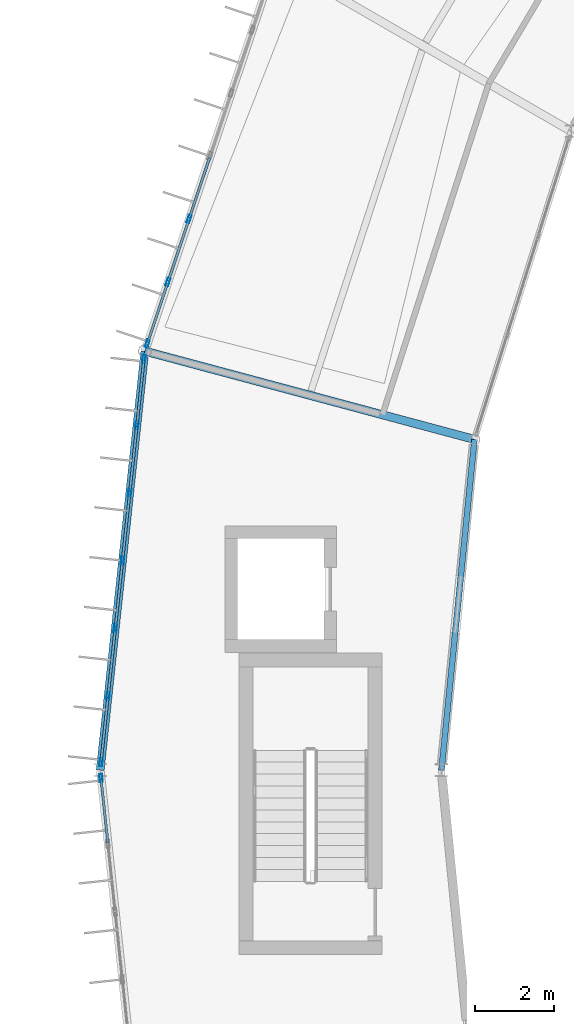
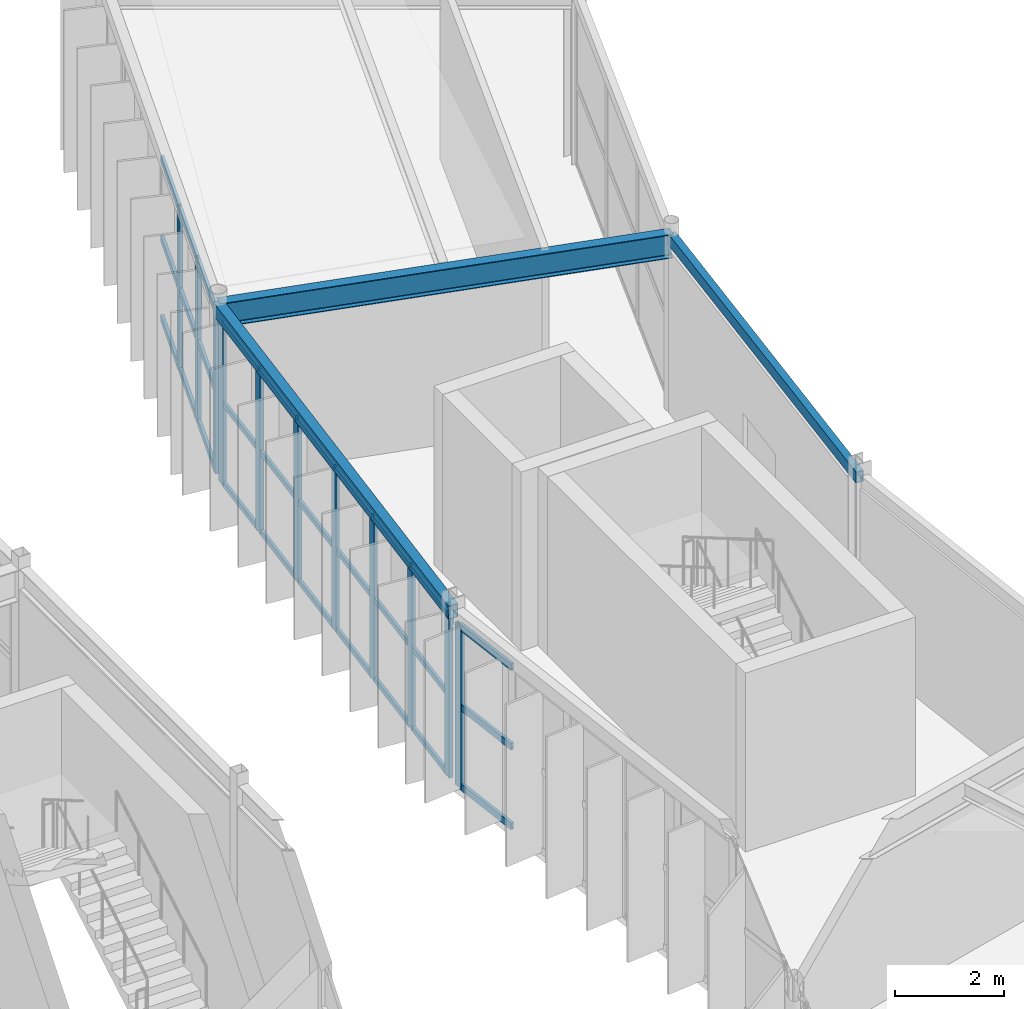
# One storey, part 45 of 147: 41 members, 3 beams, 3 elements without a shape of their own.
"""IFC4 building model written with IfcOpenShell, lengths in metres."""

from ifc_helpers import new_model, si_unit, direction, frame, origin, origin_2d, place, context, subcontext, project, spatial, hollow_rectangle, i_section, extrude, material, material_profile, profile_set, type_object, element, aggregate, save


model = new_model("IFC4")

# Units and contexts
model_context = context("Model", 3, precision=1e-05, world=origin(), true_north=direction((0.0, 1.0)))
body_context = subcontext(model_context, "Body", "Model", "MODEL_VIEW")
ifc_project = project(units=[si_unit("LENGTHUNIT", "METRE"), si_unit("AREAUNIT", "SQUARE_METRE"), si_unit("VOLUMEUNIT", "CUBIC_METRE"), si_unit("PLANEANGLEUNIT", "RADIAN"), si_unit("MASSUNIT", "GRAM", prefix="KILO")], contexts=[model_context])

# Site, building, storey
site_placement = place(None, origin())
site = spatial("IfcSite", under=ifc_project, at=site_placement, CompositionType="ELEMENT")
building_placement = place(site_placement, origin())
building = spatial("IfcBuilding", under=site, at=building_placement, Name="Karori Crest Natural Sciences Institute", CompositionType="ELEMENT")
storey_placement = place(building_placement, frame((0.0, 0.0, 9.10009765625)))
storey = spatial("IfcBuildingStorey", under=building, at=storey_placement, Name="L02", CompositionType="ELEMENT", Elevation=9.10009765625)

# Beams
ifc_material_1 = material(Name="Structural steel AS/NZS 3679.1 Grade 350", Category="steel")
ifc_material_profile_1 = material_profile(ifc_material_1, i_section(OverallWidth=0.208984375, OverallDepth=0.532958984375, WebThickness=0.01025390625, FlangeThickness=0.015625, FilletRadius=0.013916015625, at=origin_2d()), Name="530UB92.4")
ifc_profile_set_1 = profile_set([ifc_material_profile_1], Name="Structural steel AS/NZS 3679.1 Grade 350")
beam_type_1 = type_object("IfcBeamType", Name="BT-05", PredefinedType="BEAM", material=ifc_profile_set_1)
beam_1_placement = place(storey_placement, frame((42.831298828125, 58.23388671875, 3.67333984375), z_axis=(-0.965925622404, 0.258819806009, 0.0), x_axis=(-0.258819806009, -0.965925622404, 0.0)))
element("IfcBeam", 1, at=beam_1_placement, inside=storey, type_object=beam_type_1, Name="Beam B-0315", PredefinedType="BEAM", context=body_context, shape_type="SweptSolid", body=[
    extrude(i_section(OverallWidth=0.208984375, OverallDepth=0.532958984375, WebThickness=0.01025390625, FlangeThickness=0.015625, FilletRadius=0.013916015625, at=origin_2d()), origin(), (0.0, 0.0, 1.0), 8.599853515625),
])
ifc_material_2 = material(Name="Hollow structural steel AS/NZS 1163 Grade C350", Category="steel")
ifc_material_profile_2 = material_profile(ifc_material_2, hollow_rectangle(XDim=0.199951171875, YDim=0.300048828125, WallThickness=0.010009765625, at=origin_2d()), Name="RHS300x200x10")
ifc_profile_set_2 = profile_set([ifc_material_profile_2], Name="Hollow structural steel AS/NZS 1163 Grade C350")
beam_type_2 = type_object("IfcBeamType", Name="BT-15", PredefinedType="SPANDREL", material=ifc_profile_set_2)
beam_2_placement = place(storey_placement, frame((34.5244140625, 60.459716796875, 3.789794921875), z_axis=(-0.105891010563, -0.994377742049, 0.0), x_axis=(0.994377742049, -0.105891010563, 0.0)))
element("IfcBeam", 2, at=beam_2_placement, inside=storey, type_object=beam_type_2, Name="Beam B-0313", PredefinedType="SPANDREL", context=body_context, shape_type="SweptSolid", body=[
    extrude(hollow_rectangle(XDim=0.199951171875, YDim=0.300048828125, WallThickness=0.010009765625, at=origin_2d()), origin(), (0.0, 0.0, 1.0), 10.61962890625),
])
ifc_material_profile_3 = material_profile(ifc_material_2, hollow_rectangle(XDim=0.14990234375, YDim=0.25, WallThickness=0.009033203125, at=origin_2d()), Name="RHS250x150x9")
ifc_profile_set_3 = profile_set([ifc_material_profile_3], Name="Hollow structural steel AS/NZS 1163 Grade C350")
beam_type_3 = type_object("IfcBeamType", Name="BT-16", PredefinedType="SPANDREL", material=ifc_profile_set_3)
beam_3_placement = place(storey_placement, frame((42.831298828125, 58.23388671875, 3.789794921875), z_axis=(-0.099255508608, -0.995061979985, 0.0), x_axis=(0.995061979985, -0.099255508608, 0.0)))
element("IfcBeam", 3, at=beam_3_placement, inside=storey, type_object=beam_type_3, Name="Beam B-0314", PredefinedType="SPANDREL", context=body_context, shape_type="SweptSolid", body=[
    extrude(hollow_rectangle(XDim=0.14990234375, YDim=0.25, WallThickness=0.009033203125, at=origin_2d()), origin(), (0.0, 0.0, 1.0), 8.375244140625),
])

# Curtain wall, members
ifc_material_3 = material(Name="Anodised architectural aluminium 6063-T6", Category="aluminium")
curtain_wall_type_1 = type_object("IfcCurtainWallType", Name="CWT-01", PredefinedType="NOTDEFINED", material=ifc_material_3)
curtain_wall_1_placement = place(storey_placement, origin())
curtain_wall_1 = element("IfcCurtainWall", 4, at=curtain_wall_1_placement, inside=storey, type_object=curtain_wall_type_1, Name="Curtain wall CW-0080", PredefinedType="NOTDEFINED")
ifc_material_profile_4 = material_profile(ifc_material_3, hollow_rectangle(XDim=0.074951171875, YDim=0.199951171875, WallThickness=0.0048828125, at=origin_2d()), Name="CWM200x75x5")
ifc_profile_set_4 = profile_set([ifc_material_profile_4], Name="Anodised architectural aluminium 6063-T6")
member_type_1 = type_object("IfcMemberType", Name="CWM-02", PredefinedType="MULLION", material=ifc_profile_set_4)
member_1_placement = place(storey_placement, frame((34.587158203125, 60.64697265625, 0.0), z_axis=(0.0, 0.0, 1.0), x_axis=(-0.948196219586, 0.317685267462, 0.0)))
member_1 = element("IfcMember", 5, at=member_1_placement, type_object=member_type_1, Name="CW-0080 mullion 1", PredefinedType="MULLION", context=body_context, shape_type="SweptSolid", body=[
    extrude(hollow_rectangle(XDim=0.074951171875, YDim=0.199951171875, WallThickness=0.0048828125, at=origin_2d()), origin(), (0.0, 0.0, 1.0), 3.625),
])
member_2_placement = place(storey_placement, frame((35.10693359375, 62.198486328125, 0.0), z_axis=(0.0, 0.0, 1.0), x_axis=(-0.948196219586, 0.317685267462, 0.0)))
member_2 = element("IfcMember", 6, at=member_2_placement, type_object=member_type_1, Name="CW-0080 mullion 2", PredefinedType="MULLION", context=body_context, shape_type="SweptSolid", body=[
    extrude(hollow_rectangle(XDim=0.074951171875, YDim=0.199951171875, WallThickness=0.0048828125, at=origin_2d()), origin(), (0.0, 0.0, 1.0), 3.625),
])
member_3_placement = place(storey_placement, frame((35.638671875, 63.785400390625, 0.0), z_axis=(0.0, 0.0, 1.0), x_axis=(-0.948196219586, 0.317685267462, 0.0)))
member_3 = element("IfcMember", 7, at=member_3_placement, type_object=member_type_1, Name="CW-0080 mullion 3", PredefinedType="MULLION", context=body_context, shape_type="SweptSolid", body=[
    extrude(hollow_rectangle(XDim=0.074951171875, YDim=0.199951171875, WallThickness=0.0048828125, at=origin_2d()), origin(), (0.0, 0.0, 1.0), 3.625),
])

curtain_wall_type_2 = type_object("IfcCurtainWallType", Name="CWT-02", PredefinedType="NOTDEFINED", material=ifc_material_3)
curtain_wall_2_placement = place(storey_placement, origin())
curtain_wall_2 = element("IfcCurtainWall", 8, at=curtain_wall_2_placement, inside=storey, type_object=curtain_wall_type_2, Name="Curtain wall CW-0082", PredefinedType="NOTDEFINED")
member_4_placement = place(storey_placement, frame((33.421142578125, 50.098876953125, 0.0), z_axis=(0.0, 0.0, 1.0), x_axis=(-0.994378453478, 0.105884329618, 0.0)))
member_4 = element("IfcMember", 9, at=member_4_placement, type_object=member_type_1, Name="CW-0082 mullion 1", PredefinedType="MULLION", context=body_context, shape_type="SweptSolid", body=[
    extrude(hollow_rectangle(XDim=0.074951171875, YDim=0.199951171875, WallThickness=0.0048828125, at=origin_2d()), origin(), (0.0, 0.0, 1.0), 3.625),
])
member_5_placement = place(storey_placement, frame((33.598876953125, 51.76806640625, 0.0), z_axis=(0.0, 0.0, 1.0), x_axis=(-0.994378453478, 0.105884329618, 0.0)))
member_5 = element("IfcMember", 10, at=member_5_placement, type_object=member_type_1, Name="CW-0082 mullion 2", PredefinedType="MULLION", context=body_context, shape_type="SweptSolid", body=[
    extrude(hollow_rectangle(XDim=0.074951171875, YDim=0.199951171875, WallThickness=0.0048828125, at=origin_2d()), origin(), (0.0, 0.0, 1.0), 3.625),
])
member_6_placement = place(storey_placement, frame((33.780517578125, 53.474609375, 0.0), z_axis=(0.0, 0.0, 1.0), x_axis=(-0.994378453478, 0.105884329618, 0.0)))
member_6 = element("IfcMember", 11, at=member_6_placement, type_object=member_type_1, Name="CW-0082 mullion 3", PredefinedType="MULLION", context=body_context, shape_type="SweptSolid", body=[
    extrude(hollow_rectangle(XDim=0.074951171875, YDim=0.199951171875, WallThickness=0.0048828125, at=origin_2d()), origin(), (0.0, 0.0, 1.0), 3.625),
])
member_7_placement = place(storey_placement, frame((33.96240234375, 55.18115234375, 0.0), z_axis=(0.0, 0.0, 1.0), x_axis=(-0.994378453478, 0.105884329618, 0.0)))
member_7 = element("IfcMember", 12, at=member_7_placement, type_object=member_type_1, Name="CW-0082 mullion 4", PredefinedType="MULLION", context=body_context, shape_type="SweptSolid", body=[
    extrude(hollow_rectangle(XDim=0.074951171875, YDim=0.199951171875, WallThickness=0.0048828125, at=origin_2d()), origin(), (0.0, 0.0, 1.0), 3.625),
])
member_8_placement = place(storey_placement, frame((34.14404296875, 56.8876953125, 0.0), z_axis=(0.0, 0.0, 1.0), x_axis=(-0.994378453478, 0.105884329618, 0.0)))
member_8 = element("IfcMember", 13, at=member_8_placement, type_object=member_type_1, Name="CW-0082 mullion 5", PredefinedType="MULLION", context=body_context, shape_type="SweptSolid", body=[
    extrude(hollow_rectangle(XDim=0.074951171875, YDim=0.199951171875, WallThickness=0.0048828125, at=origin_2d()), origin(), (0.0, 0.0, 1.0), 3.625),
])
member_9_placement = place(storey_placement, frame((34.32568359375, 58.59423828125, 0.0), z_axis=(0.0, 0.0, 1.0), x_axis=(-0.994378453478, 0.105884329618, 0.0)))
member_9 = element("IfcMember", 14, at=member_9_placement, type_object=member_type_1, Name="CW-0082 mullion 6", PredefinedType="MULLION", context=body_context, shape_type="SweptSolid", body=[
    extrude(hollow_rectangle(XDim=0.074951171875, YDim=0.199951171875, WallThickness=0.0048828125, at=origin_2d()), origin(), (0.0, 0.0, 1.0), 3.625),
])
member_10_placement = place(storey_placement, frame((34.50341796875, 60.263427734375, 0.0), z_axis=(0.0, 0.0, 1.0), x_axis=(-0.994378453478, 0.105884329618, 0.0)))
member_10 = element("IfcMember", 15, at=member_10_placement, type_object=member_type_1, Name="CW-0082 mullion 7", PredefinedType="MULLION", context=body_context, shape_type="SweptSolid", body=[
    extrude(hollow_rectangle(XDim=0.074951171875, YDim=0.199951171875, WallThickness=0.0048828125, at=origin_2d()), origin(), (0.0, 0.0, 1.0), 3.625),
])

# Curtain wall, member
curtain_wall_type_3 = type_object("IfcCurtainWallType", Name="CWT-03", PredefinedType="NOTDEFINED", material=ifc_material_3)
curtain_wall_3_placement = place(storey_placement, origin())
curtain_wall_3 = element("IfcCurtainWall", 16, at=curtain_wall_3_placement, inside=storey, type_object=curtain_wall_type_3, Name="Curtain wall CW-0083", PredefinedType="NOTDEFINED")
member_11_placement = place(storey_placement, frame((33.421142578125, 49.701171875, 0.0), z_axis=(0.0, 0.0, 1.0), x_axis=(-0.994378742451, -0.105881615789, 0.0)))
member_11 = element("IfcMember", 17, at=member_11_placement, type_object=member_type_1, Name="CW-0083 mullion 7", PredefinedType="MULLION", context=body_context, shape_type="SweptSolid", body=[
    extrude(hollow_rectangle(XDim=0.074951171875, YDim=0.199951171875, WallThickness=0.0048828125, at=origin_2d()), origin(), (0.0, 0.0, 1.0), 3.625),
])

# Member
ifc_material_profile_5 = material_profile(ifc_material_3, hollow_rectangle(XDim=0.06005859375, YDim=0.1201171875, WallThickness=0.00390625, at=origin_2d()), Name="CWT120x60x4")
ifc_profile_set_5 = profile_set([ifc_material_profile_5], Name="Anodised architectural aluminium 6063-T6")
member_type_2 = type_object("IfcMemberType", Name="CWT-TR1", PredefinedType="USERDEFINED", material=ifc_profile_set_5)
member_12_placement = place(storey_placement, frame((33.425048828125, 50.135986328125, 0.02978515625), z_axis=(0.10595259381, 0.994371182137, 0.0), x_axis=(-0.994371182137, 0.10595259381, 0.0)))
member_12 = element("IfcMember", 18, at=member_12_placement, type_object=member_type_2, Name="CW-0082 transom 1.1", ObjectType="TRANSOM", PredefinedType="USERDEFINED", context=body_context, shape_type="SweptSolid", body=[
    extrude(hollow_rectangle(XDim=0.06005859375, YDim=0.1201171875, WallThickness=0.00390625, at=origin_2d()), origin(), (0.0, 0.0, 1.0), 1.603759765625),
])

member_13_placement = place(storey_placement, frame((33.425048828125, 50.135986328125, 1.8125), z_axis=(0.10595259381, 0.994371182137, 0.0), x_axis=(-0.994371182137, 0.10595259381, 0.0)))
member_13 = element("IfcMember", 19, at=member_13_placement, type_object=member_type_2, Name="CW-0082 transom 1.2", ObjectType="TRANSOM", PredefinedType="USERDEFINED", context=body_context, shape_type="SweptSolid", body=[
    extrude(hollow_rectangle(XDim=0.06005859375, YDim=0.1201171875, WallThickness=0.00390625, at=origin_2d()), origin(), (0.0, 0.0, 1.0), 1.603759765625),
])

member_14_placement = place(storey_placement, frame((33.425048828125, 50.135986328125, 3.594970703125), z_axis=(0.10595259381, 0.994371182137, 0.0), x_axis=(-0.994371182137, 0.10595259381, 0.0)))
member_14 = element("IfcMember", 20, at=member_14_placement, type_object=member_type_2, Name="CW-0082 transom 1.3", ObjectType="TRANSOM", PredefinedType="USERDEFINED", context=body_context, shape_type="SweptSolid", body=[
    extrude(hollow_rectangle(XDim=0.06005859375, YDim=0.1201171875, WallThickness=0.00390625, at=origin_2d()), origin(), (0.0, 0.0, 1.0), 1.603759765625),
])

member_15_placement = place(storey_placement, frame((33.602783203125, 51.805419921875, 0.02978515625), z_axis=(0.105923768436, 0.994374253126, 0.0), x_axis=(-0.994374253126, 0.105923768436, 0.0)))
member_15 = element("IfcMember", 21, at=member_15_placement, type_object=member_type_2, Name="CW-0082 transom 2.1", ObjectType="TRANSOM", PredefinedType="USERDEFINED", context=body_context, shape_type="SweptSolid", body=[
    extrude(hollow_rectangle(XDim=0.06005859375, YDim=0.1201171875, WallThickness=0.00390625, at=origin_2d()), origin(), (0.0, 0.0, 1.0), 1.64111328125),
])

member_16_placement = place(storey_placement, frame((33.602783203125, 51.805419921875, 1.8125), z_axis=(0.105923768436, 0.994374253126, 0.0), x_axis=(-0.994374253126, 0.105923768436, 0.0)))
member_16 = element("IfcMember", 22, at=member_16_placement, type_object=member_type_2, Name="CW-0082 transom 2.2", ObjectType="TRANSOM", PredefinedType="USERDEFINED", context=body_context, shape_type="SweptSolid", body=[
    extrude(hollow_rectangle(XDim=0.06005859375, YDim=0.1201171875, WallThickness=0.00390625, at=origin_2d()), origin(), (0.0, 0.0, 1.0), 1.64111328125),
])

member_17_placement = place(storey_placement, frame((33.602783203125, 51.805419921875, 3.594970703125), z_axis=(0.105923768436, 0.994374253126, 0.0), x_axis=(-0.994374253126, 0.105923768436, 0.0)))
member_17 = element("IfcMember", 23, at=member_17_placement, type_object=member_type_2, Name="CW-0082 transom 2.3", ObjectType="TRANSOM", PredefinedType="USERDEFINED", context=body_context, shape_type="SweptSolid", body=[
    extrude(hollow_rectangle(XDim=0.06005859375, YDim=0.1201171875, WallThickness=0.00390625, at=origin_2d()), origin(), (0.0, 0.0, 1.0), 1.64111328125),
])

member_18_placement = place(storey_placement, frame((33.78466796875, 53.511962890625, 0.02978515625), z_axis=(0.105923768436, 0.994374253126, 0.0), x_axis=(-0.994374253126, 0.105923768436, 0.0)))
member_18 = element("IfcMember", 24, at=member_18_placement, type_object=member_type_2, Name="CW-0082 transom 3.1", ObjectType="TRANSOM", PredefinedType="USERDEFINED", context=body_context, shape_type="SweptSolid", body=[
    extrude(hollow_rectangle(XDim=0.06005859375, YDim=0.1201171875, WallThickness=0.00390625, at=origin_2d()), origin(), (0.0, 0.0, 1.0), 1.64111328125),
])

member_19_placement = place(storey_placement, frame((33.78466796875, 53.511962890625, 1.8125), z_axis=(0.105923768436, 0.994374253126, 0.0), x_axis=(-0.994374253126, 0.105923768436, 0.0)))
member_19 = element("IfcMember", 25, at=member_19_placement, type_object=member_type_2, Name="CW-0082 transom 3.2", ObjectType="TRANSOM", PredefinedType="USERDEFINED", context=body_context, shape_type="SweptSolid", body=[
    extrude(hollow_rectangle(XDim=0.06005859375, YDim=0.1201171875, WallThickness=0.00390625, at=origin_2d()), origin(), (0.0, 0.0, 1.0), 1.64111328125),
])

member_20_placement = place(storey_placement, frame((33.78466796875, 53.511962890625, 3.594970703125), z_axis=(0.105923768436, 0.994374253126, 0.0), x_axis=(-0.994374253126, 0.105923768436, 0.0)))
member_20 = element("IfcMember", 26, at=member_20_placement, type_object=member_type_2, Name="CW-0082 transom 3.3", ObjectType="TRANSOM", PredefinedType="USERDEFINED", context=body_context, shape_type="SweptSolid", body=[
    extrude(hollow_rectangle(XDim=0.06005859375, YDim=0.1201171875, WallThickness=0.00390625, at=origin_2d()), origin(), (0.0, 0.0, 1.0), 1.64111328125),
])

member_21_placement = place(storey_placement, frame((33.96630859375, 55.218505859375, 0.02978515625), z_axis=(0.105923768436, 0.994374253126, 0.0), x_axis=(-0.994374253126, 0.105923768436, 0.0)))
member_21 = element("IfcMember", 27, at=member_21_placement, type_object=member_type_2, Name="CW-0082 transom 4.1", ObjectType="TRANSOM", PredefinedType="USERDEFINED", context=body_context, shape_type="SweptSolid", body=[
    extrude(hollow_rectangle(XDim=0.06005859375, YDim=0.1201171875, WallThickness=0.00390625, at=origin_2d()), origin(), (0.0, 0.0, 1.0), 1.64111328125),
])

member_22_placement = place(storey_placement, frame((33.96630859375, 55.218505859375, 1.8125), z_axis=(0.105923768436, 0.994374253126, 0.0), x_axis=(-0.994374253126, 0.105923768436, 0.0)))
member_22 = element("IfcMember", 28, at=member_22_placement, type_object=member_type_2, Name="CW-0082 transom 4.2", ObjectType="TRANSOM", PredefinedType="USERDEFINED", context=body_context, shape_type="SweptSolid", body=[
    extrude(hollow_rectangle(XDim=0.06005859375, YDim=0.1201171875, WallThickness=0.00390625, at=origin_2d()), origin(), (0.0, 0.0, 1.0), 1.64111328125),
])

member_23_placement = place(storey_placement, frame((33.96630859375, 55.218505859375, 3.594970703125), z_axis=(0.105923768436, 0.994374253126, 0.0), x_axis=(-0.994374253126, 0.105923768436, 0.0)))
member_23 = element("IfcMember", 29, at=member_23_placement, type_object=member_type_2, Name="CW-0082 transom 4.3", ObjectType="TRANSOM", PredefinedType="USERDEFINED", context=body_context, shape_type="SweptSolid", body=[
    extrude(hollow_rectangle(XDim=0.06005859375, YDim=0.1201171875, WallThickness=0.00390625, at=origin_2d()), origin(), (0.0, 0.0, 1.0), 1.64111328125),
])

member_24_placement = place(storey_placement, frame((34.14794921875, 56.9248046875, 0.02978515625), z_axis=(0.105908101183, 0.994375921925, 0.0), x_axis=(-0.994375921925, 0.105908101183, 0.0)))
member_24 = element("IfcMember", 30, at=member_24_placement, type_object=member_type_2, Name="CW-0082 transom 5.1", ObjectType="TRANSOM", PredefinedType="USERDEFINED", context=body_context, shape_type="SweptSolid", body=[
    extrude(hollow_rectangle(XDim=0.06005859375, YDim=0.1201171875, WallThickness=0.00390625, at=origin_2d()), origin(), (0.0, 0.0, 1.0), 1.641357421875),
])

member_25_placement = place(storey_placement, frame((34.14794921875, 56.9248046875, 1.8125), z_axis=(0.105908101183, 0.994375921925, 0.0), x_axis=(-0.994375921925, 0.105908101183, 0.0)))
member_25 = element("IfcMember", 31, at=member_25_placement, type_object=member_type_2, Name="CW-0082 transom 5.2", ObjectType="TRANSOM", PredefinedType="USERDEFINED", context=body_context, shape_type="SweptSolid", body=[
    extrude(hollow_rectangle(XDim=0.06005859375, YDim=0.1201171875, WallThickness=0.00390625, at=origin_2d()), origin(), (0.0, 0.0, 1.0), 1.641357421875),
])

member_26_placement = place(storey_placement, frame((34.14794921875, 56.9248046875, 3.594970703125), z_axis=(0.105908101183, 0.994375921925, 0.0), x_axis=(-0.994375921925, 0.105908101183, 0.0)))
member_26 = element("IfcMember", 32, at=member_26_placement, type_object=member_type_2, Name="CW-0082 transom 5.3", ObjectType="TRANSOM", PredefinedType="USERDEFINED", context=body_context, shape_type="SweptSolid", body=[
    extrude(hollow_rectangle(XDim=0.06005859375, YDim=0.1201171875, WallThickness=0.00390625, at=origin_2d()), origin(), (0.0, 0.0, 1.0), 1.641357421875),
])

member_27_placement = place(storey_placement, frame((34.329833984375, 58.63134765625, 0.02978515625), z_axis=(0.105802068367, 0.994387209456, 0.0), x_axis=(-0.994387209456, 0.105802068367, 0.0)))
member_27 = element("IfcMember", 33, at=member_27_placement, type_object=member_type_2, Name="CW-0082 transom 6.1", ObjectType="TRANSOM", PredefinedType="USERDEFINED", context=body_context, shape_type="SweptSolid", body=[
    extrude(hollow_rectangle(XDim=0.06005859375, YDim=0.1201171875, WallThickness=0.00390625, at=origin_2d()), origin(), (0.0, 0.0, 1.0), 1.603759765625),
])

member_28_placement = place(storey_placement, frame((34.329833984375, 58.63134765625, 1.8125), z_axis=(0.105802068367, 0.994387209456, 0.0), x_axis=(-0.994387209456, 0.105802068367, 0.0)))
member_28 = element("IfcMember", 34, at=member_28_placement, type_object=member_type_2, Name="CW-0082 transom 6.2", ObjectType="TRANSOM", PredefinedType="USERDEFINED", context=body_context, shape_type="SweptSolid", body=[
    extrude(hollow_rectangle(XDim=0.06005859375, YDim=0.1201171875, WallThickness=0.00390625, at=origin_2d()), origin(), (0.0, 0.0, 1.0), 1.603759765625),
])

member_29_placement = place(storey_placement, frame((34.329833984375, 58.63134765625, 3.594970703125), z_axis=(0.105802068367, 0.994387209456, 0.0), x_axis=(-0.994387209456, 0.105802068367, 0.0)))
member_29 = element("IfcMember", 35, at=member_29_placement, type_object=member_type_2, Name="CW-0082 transom 6.3", ObjectType="TRANSOM", PredefinedType="USERDEFINED", context=body_context, shape_type="SweptSolid", body=[
    extrude(hollow_rectangle(XDim=0.06005859375, YDim=0.1201171875, WallThickness=0.00390625, at=origin_2d()), origin(), (0.0, 0.0, 1.0), 1.603759765625),
])

aggregate(curtain_wall_2, [member_4, member_5, member_6, member_7, member_8, member_9, member_10, member_12, member_13, member_14, member_15, member_16, member_17, member_18, member_19, member_20, member_21, member_22, member_23, member_24, member_25, member_26, member_27, member_28, member_29])

ifc_material_profile_6 = material_profile(ifc_material_3, hollow_rectangle(XDim=0.06494140625, YDim=0.14990234375, WallThickness=0.00390625, at=origin_2d()), Name="CWT150x65x4")
ifc_profile_set_6 = profile_set([ifc_material_profile_6], Name="Anodised architectural aluminium 6063-T6")
member_type_3 = type_object("IfcMemberType", Name="CWT-TR2", PredefinedType="USERDEFINED", material=ifc_profile_set_6)
member_30_placement = place(storey_placement, frame((34.59912109375, 60.6826171875, 0.032470703125), z_axis=(0.317634958397, 0.948213073736, 0.0), x_axis=(-0.948213073736, 0.317634958397, 0.0)))
member_30 = element("IfcMember", 36, at=member_30_placement, type_object=member_type_3, Name="CW-0080 transom 1.1", ObjectType="TRANSOM", PredefinedType="USERDEFINED", context=body_context, shape_type="SweptSolid", body=[
    extrude(hollow_rectangle(XDim=0.06494140625, YDim=0.14990234375, WallThickness=0.00390625, at=origin_2d()), origin(), (0.0, 0.0, 1.0), 1.56103515625),
])

member_31_placement = place(storey_placement, frame((34.59912109375, 60.6826171875, 1.8125), z_axis=(0.317634958397, 0.948213073736, 0.0), x_axis=(-0.948213073736, 0.317634958397, 0.0)))
member_31 = element("IfcMember", 37, at=member_31_placement, type_object=member_type_3, Name="CW-0080 transom 1.2", ObjectType="TRANSOM", PredefinedType="USERDEFINED", context=body_context, shape_type="SweptSolid", body=[
    extrude(hollow_rectangle(XDim=0.06494140625, YDim=0.14990234375, WallThickness=0.00390625, at=origin_2d()), origin(), (0.0, 0.0, 1.0), 1.56103515625),
])

member_32_placement = place(storey_placement, frame((34.59912109375, 60.6826171875, 3.59228515625), z_axis=(0.317634958397, 0.948213073736, 0.0), x_axis=(-0.948213073736, 0.317634958397, 0.0)))
member_32 = element("IfcMember", 38, at=member_32_placement, type_object=member_type_3, Name="CW-0080 transom 1.3", ObjectType="TRANSOM", PredefinedType="USERDEFINED", context=body_context, shape_type="SweptSolid", body=[
    extrude(hollow_rectangle(XDim=0.06494140625, YDim=0.14990234375, WallThickness=0.00390625, at=origin_2d()), origin(), (0.0, 0.0, 1.0), 1.56103515625),
])

member_33_placement = place(storey_placement, frame((35.118896484375, 62.234130859375, 0.032470703125), z_axis=(0.317693666767, 0.948193405427, 0.0), x_axis=(-0.948193405427, 0.317693666767, 0.0)))
member_33 = element("IfcMember", 39, at=member_33_placement, type_object=member_type_3, Name="CW-0080 transom 2.1", ObjectType="TRANSOM", PredefinedType="USERDEFINED", context=body_context, shape_type="SweptSolid", body=[
    extrude(hollow_rectangle(XDim=0.06494140625, YDim=0.14990234375, WallThickness=0.00390625, at=origin_2d()), origin(), (0.0, 0.0, 1.0), 1.598388671875),
])

member_34_placement = place(storey_placement, frame((35.118896484375, 62.234130859375, 1.8125), z_axis=(0.317693666767, 0.948193405427, 0.0), x_axis=(-0.948193405427, 0.317693666767, 0.0)))
member_34 = element("IfcMember", 40, at=member_34_placement, type_object=member_type_3, Name="CW-0080 transom 2.2", ObjectType="TRANSOM", PredefinedType="USERDEFINED", context=body_context, shape_type="SweptSolid", body=[
    extrude(hollow_rectangle(XDim=0.06494140625, YDim=0.14990234375, WallThickness=0.00390625, at=origin_2d()), origin(), (0.0, 0.0, 1.0), 1.598388671875),
])

member_35_placement = place(storey_placement, frame((35.118896484375, 62.234130859375, 3.59228515625), z_axis=(0.317693666767, 0.948193405427, 0.0), x_axis=(-0.948193405427, 0.317693666767, 0.0)))
member_35 = element("IfcMember", 41, at=member_35_placement, type_object=member_type_3, Name="CW-0080 transom 2.3", ObjectType="TRANSOM", PredefinedType="USERDEFINED", context=body_context, shape_type="SweptSolid", body=[
    extrude(hollow_rectangle(XDim=0.06494140625, YDim=0.14990234375, WallThickness=0.00390625, at=origin_2d()), origin(), (0.0, 0.0, 1.0), 1.598388671875),
])

member_36_placement = place(storey_placement, frame((35.650634765625, 63.821044921875, 0.032470703125), z_axis=(0.317647663217, 0.948208817747, 0.0), x_axis=(-0.948208817747, 0.317647663217, 0.0)))
member_36 = element("IfcMember", 42, at=member_36_placement, type_object=member_type_3, Name="CW-0080 transom 3.1", ObjectType="TRANSOM", PredefinedType="USERDEFINED", context=body_context, shape_type="SweptSolid", body=[
    extrude(hollow_rectangle(XDim=0.06494140625, YDim=0.14990234375, WallThickness=0.00390625, at=origin_2d()), origin(), (0.0, 0.0, 1.0), 1.5986328125),
])

member_37_placement = place(storey_placement, frame((35.650634765625, 63.821044921875, 1.8125), z_axis=(0.317647663217, 0.948208817747, 0.0), x_axis=(-0.948208817747, 0.317647663217, 0.0)))
member_37 = element("IfcMember", 43, at=member_37_placement, type_object=member_type_3, Name="CW-0080 transom 3.2", ObjectType="TRANSOM", PredefinedType="USERDEFINED", context=body_context, shape_type="SweptSolid", body=[
    extrude(hollow_rectangle(XDim=0.06494140625, YDim=0.14990234375, WallThickness=0.00390625, at=origin_2d()), origin(), (0.0, 0.0, 1.0), 1.5986328125),
])

member_38_placement = place(storey_placement, frame((35.650634765625, 63.821044921875, 3.59228515625), z_axis=(0.317647663217, 0.948208817747, 0.0), x_axis=(-0.948208817747, 0.317647663217, 0.0)))
member_38 = element("IfcMember", 44, at=member_38_placement, type_object=member_type_3, Name="CW-0080 transom 3.3", ObjectType="TRANSOM", PredefinedType="USERDEFINED", context=body_context, shape_type="SweptSolid", body=[
    extrude(hollow_rectangle(XDim=0.06494140625, YDim=0.14990234375, WallThickness=0.00390625, at=origin_2d()), origin(), (0.0, 0.0, 1.0), 1.5986328125),
])

aggregate(curtain_wall_1, [member_1, member_2, member_3, member_30, member_31, member_32, member_33, member_34, member_35, member_36, member_37, member_38])

member_39_placement = place(storey_placement, frame((33.5947265625, 48.07177734375, 0.032470703125), z_axis=(-0.105978538573, 0.994368417319, 0.0), x_axis=(-0.994368417319, -0.105978538573, 0.0)))
member_39 = element("IfcMember", 45, at=member_39_placement, type_object=member_type_3, Name="CW-0083 transom 6.1", ObjectType="TRANSOM", PredefinedType="USERDEFINED", context=body_context, shape_type="SweptSolid", body=[
    extrude(hollow_rectangle(XDim=0.06494140625, YDim=0.14990234375, WallThickness=0.00390625, at=origin_2d()), origin(), (0.0, 0.0, 1.0), 1.60107421875),
])

member_40_placement = place(storey_placement, frame((33.5947265625, 48.07177734375, 1.8125), z_axis=(-0.105978538573, 0.994368417319, 0.0), x_axis=(-0.994368417319, -0.105978538573, 0.0)))
member_40 = element("IfcMember", 46, at=member_40_placement, type_object=member_type_3, Name="CW-0083 transom 6.2", ObjectType="TRANSOM", PredefinedType="USERDEFINED", context=body_context, shape_type="SweptSolid", body=[
    extrude(hollow_rectangle(XDim=0.06494140625, YDim=0.14990234375, WallThickness=0.00390625, at=origin_2d()), origin(), (0.0, 0.0, 1.0), 1.60107421875),
])

member_41_placement = place(storey_placement, frame((33.5947265625, 48.07177734375, 3.59228515625), z_axis=(-0.105978538573, 0.994368417319, 0.0), x_axis=(-0.994368417319, -0.105978538573, 0.0)))
member_41 = element("IfcMember", 47, at=member_41_placement, type_object=member_type_3, Name="CW-0083 transom 6.3", ObjectType="TRANSOM", PredefinedType="USERDEFINED", context=body_context, shape_type="SweptSolid", body=[
    extrude(hollow_rectangle(XDim=0.06494140625, YDim=0.14990234375, WallThickness=0.00390625, at=origin_2d()), origin(), (0.0, 0.0, 1.0), 1.60107421875),
])

aggregate(curtain_wall_3, [member_11, member_39, member_40, member_41])

save(model, "model.ifc")
